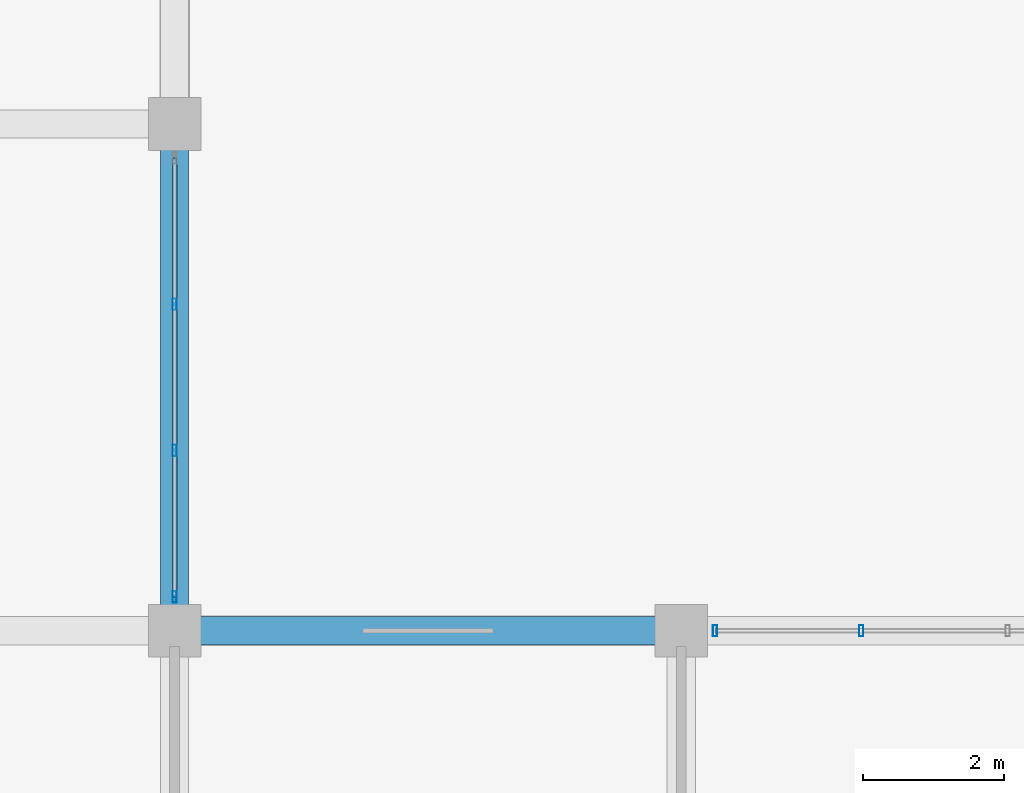
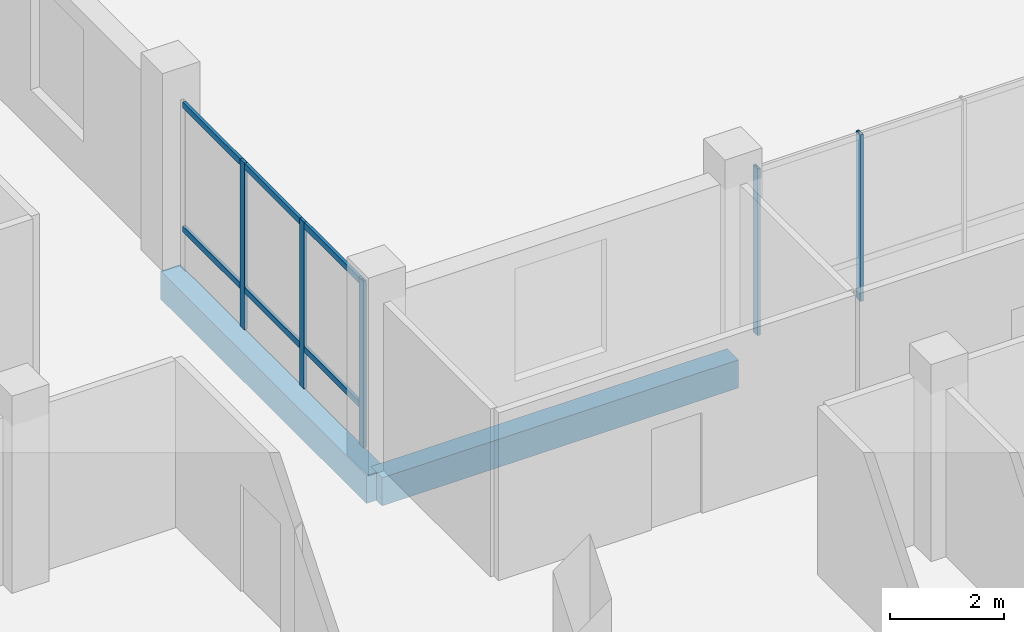
# One storey, part 18 of 98: 7 members, 2 beams, 2 elements without a shape of their own.
"""IFC4 building model written with IfcOpenShell, lengths in metres."""

from ifc_helpers import new_model, si_unit, direction, frame, origin, origin_2d, place, context, subcontext, project, spatial, rectangle, hollow_rectangle, extrude, material, material_profile, profile_set, type_object, element, aggregate, save


model = new_model("IFC4")

# Units and contexts
model_context = context("Model", 3, precision=1e-05, world=origin(), true_north=direction((0.0, 1.0)))
body_context = subcontext(model_context, "Body", "Model", "MODEL_VIEW")
ifc_project = project(units=[si_unit("LENGTHUNIT", "METRE"), si_unit("AREAUNIT", "SQUARE_METRE"), si_unit("VOLUMEUNIT", "CUBIC_METRE"), si_unit("PLANEANGLEUNIT", "RADIAN"), si_unit("MASSUNIT", "GRAM", prefix="KILO")], contexts=[model_context])

# Site, building, storey
site_placement = place(None, origin())
site = spatial("IfcSite", under=ifc_project, at=site_placement, CompositionType="ELEMENT")
building_placement = place(site_placement, origin())
building = spatial("IfcBuilding", under=site, at=building_placement, Name="Zornivar Specialist Clinic", CompositionType="ELEMENT")
storey_placement = place(building_placement, origin())
storey = spatial("IfcBuildingStorey", under=building, at=storey_placement, Name="L00", CompositionType="ELEMENT", Elevation=0.0)

# Beams
ifc_material_1 = material(Name="Concrete C30/37", Category="concrete")
ifc_material_profile_1 = material_profile(ifc_material_1, rectangle(XDim=0.39990234375, YDim=0.60009765625, at=origin_2d()), Name="RC 400x600")
ifc_profile_set_1 = profile_set([ifc_material_profile_1], Name="Concrete C30/37")
beam_type = type_object("IfcBeamType", Name="BM-RC-400x600", PredefinedType="BEAM", material=ifc_profile_set_1)
for number, where, z_axis, x_axis, name in (
    (1, (14.39990234375, 14.39990234375, -0.580078125), (1.0, 0.0, 0.0), (0.0, 1.0, 0.0), "bm:V2:L00:x:144:2"),
    (2, (14.39990234375, 14.39990234375, -0.580078125), (0.0, 1.0, 0.0), (-1.0, 0.0, 0.0), "bm:V2:L00:y:144:2"),
):
    element("IfcBeam", number, at=place(storey_placement, frame(where, z_axis=z_axis, x_axis=x_axis)), inside=storey, type_object=beam_type, Name=name, PredefinedType="BEAM", context=body_context, shape_type="SweptSolid", body=[
        extrude(rectangle(XDim=0.39990234375, YDim=0.60009765625, at=origin_2d()), origin(), (0.0, 0.0, 1.0), 7.2001953125),
    ])

# Curtain wall, members
ifc_material_2 = material(Name="Aluminium and Low-E Glass Curtain Wall", Category="aluminium")
curtain_wall_type = type_object("IfcCurtainWallType", Name="CW-REVAK-COURT", PredefinedType="NOTDEFINED", material=ifc_material_2)
curtain_wall_1_placement = place(storey_placement, origin())
curtain_wall_1 = element("IfcCurtainWall", 3, at=curtain_wall_1_placement, inside=storey, type_object=curtain_wall_type, Name="cw:V2:L00:12", PredefinedType="NOTDEFINED")
ifc_material_3 = material(Name="Aluminium AW-6060", Category="aluminium")
ifc_material_profile_2 = material_profile(ifc_material_3, hollow_rectangle(XDim=0.06005859375, YDim=0.159912109375, WallThickness=0.00390625, at=origin_2d()), Name="ALU 60x160x4")
ifc_profile_set_2 = profile_set([ifc_material_profile_2], Name="Aluminium AW-6060")
member_type_1 = type_object("IfcMemberType", Name="CWM-MUL-160", PredefinedType="MULLION", material=ifc_profile_set_2)
member_1_placement = place(storey_placement, frame((24.159912109375, 14.39990234375, 0.0), z_axis=(0.0, 0.0, 1.0), x_axis=(1.0, 0.0, 0.0)))
member_1 = element("IfcMember", 4, at=member_1_placement, type_object=member_type_1, Name="cw:V2:L00:12:mul:2", PredefinedType="MULLION", context=body_context, shape_type="SweptSolid", body=[
    extrude(hollow_rectangle(XDim=0.06005859375, YDim=0.159912109375, WallThickness=0.00390625, at=origin_2d()), origin(), (0.0, 0.0, 1.0), 3.56005859375),
])
member_2_placement = place(storey_placement, frame((22.080078125, 14.39990234375, 0.0), z_axis=(0.0, 0.0, 1.0), x_axis=(1.0, 0.0, 0.0)))
member_2 = element("IfcMember", 5, at=member_2_placement, type_object=member_type_1, Name="cw:V2:L00:12:mul:3", PredefinedType="MULLION", context=body_context, shape_type="SweptSolid", body=[
    extrude(hollow_rectangle(XDim=0.06005859375, YDim=0.159912109375, WallThickness=0.00390625, at=origin_2d()), origin(), (0.0, 0.0, 1.0), 3.56005859375),
])
aggregate(curtain_wall_1, [member_1, member_2])

curtain_wall_2_placement = place(storey_placement, origin())
curtain_wall_2 = element("IfcCurtainWall", 6, at=curtain_wall_2_placement, inside=storey, type_object=curtain_wall_type, Name="cw:V2:L00:14", PredefinedType="NOTDEFINED")
member_3_placement = place(storey_placement, frame((14.39990234375, 14.8798828125, 0.0), z_axis=(0.0, 0.0, 1.0), x_axis=(1.0, 0.0, 0.0)))
member_3 = element("IfcMember", 7, at=member_3_placement, type_object=member_type_1, Name="cw:V2:L00:14:mul:0", PredefinedType="MULLION", context=body_context, shape_type="SweptSolid", body=[
    extrude(hollow_rectangle(XDim=0.06005859375, YDim=0.159912109375, WallThickness=0.00390625, at=origin_2d()), origin(), (0.0, 0.0, 1.0), 3.56005859375),
])
member_4_placement = place(storey_placement, frame((14.39990234375, 16.9599609375, 0.0), z_axis=(0.0, 0.0, 1.0), x_axis=(1.0, 0.0, 0.0)))
member_4 = element("IfcMember", 8, at=member_4_placement, type_object=member_type_1, Name="cw:V2:L00:14:mul:1", PredefinedType="MULLION", context=body_context, shape_type="SweptSolid", body=[
    extrude(hollow_rectangle(XDim=0.06005859375, YDim=0.159912109375, WallThickness=0.00390625, at=origin_2d()), origin(), (0.0, 0.0, 1.0), 3.56005859375),
])
member_5_placement = place(storey_placement, frame((14.39990234375, 19.0400390625, 0.0), z_axis=(0.0, 0.0, 1.0), x_axis=(1.0, 0.0, 0.0)))
member_5 = element("IfcMember", 9, at=member_5_placement, type_object=member_type_1, Name="cw:V2:L00:14:mul:2", PredefinedType="MULLION", context=body_context, shape_type="SweptSolid", body=[
    extrude(hollow_rectangle(XDim=0.06005859375, YDim=0.159912109375, WallThickness=0.00390625, at=origin_2d()), origin(), (0.0, 0.0, 1.0), 3.56005859375),
])
ifc_material_4 = material(Name="Aluminium AW-6060", Category="aluminium")
ifc_material_profile_3 = material_profile(ifc_material_4, hollow_rectangle(XDim=0.06005859375, YDim=0.1298828125, WallThickness=0.00390625, at=origin_2d()), Name="ALU 60x130x4")
ifc_profile_set_3 = profile_set([ifc_material_profile_3], Name="Aluminium AW-6060")
member_type_2 = type_object("IfcMemberType", Name="CWM-TRN-130", PredefinedType="USERDEFINED", material=ifc_profile_set_3)
member_6_placement = place(storey_placement, frame((14.39990234375, 14.8798828125, 0.85009765625), z_axis=(0.0, 1.0, 0.0), x_axis=(-1.0, 0.0, 0.0)))
member_6 = element("IfcMember", 10, at=member_6_placement, type_object=member_type_2, Name="cw:V2:L00:14:trn:0", ObjectType="TRANSOM", PredefinedType="USERDEFINED", context=body_context, shape_type="SweptSolid", body=[
    extrude(hollow_rectangle(XDim=0.06005859375, YDim=0.1298828125, WallThickness=0.00390625, at=origin_2d()), origin(), (0.0, 0.0, 1.0), 6.240234375),
])
member_7_placement = place(storey_placement, frame((14.39990234375, 14.8798828125, 3.4951171875), z_axis=(0.0, 1.0, 0.0), x_axis=(-1.0, 0.0, 0.0)))
member_7 = element("IfcMember", 11, at=member_7_placement, type_object=member_type_2, Name="cw:V2:L00:14:trn:1", ObjectType="TRANSOM", PredefinedType="USERDEFINED", context=body_context, shape_type="SweptSolid", body=[
    extrude(hollow_rectangle(XDim=0.06005859375, YDim=0.1298828125, WallThickness=0.00390625, at=origin_2d()), origin(), (0.0, 0.0, 1.0), 6.240234375),
])
aggregate(curtain_wall_2, [member_3, member_4, member_5, member_6, member_7])

save(model, "model.ifc")
